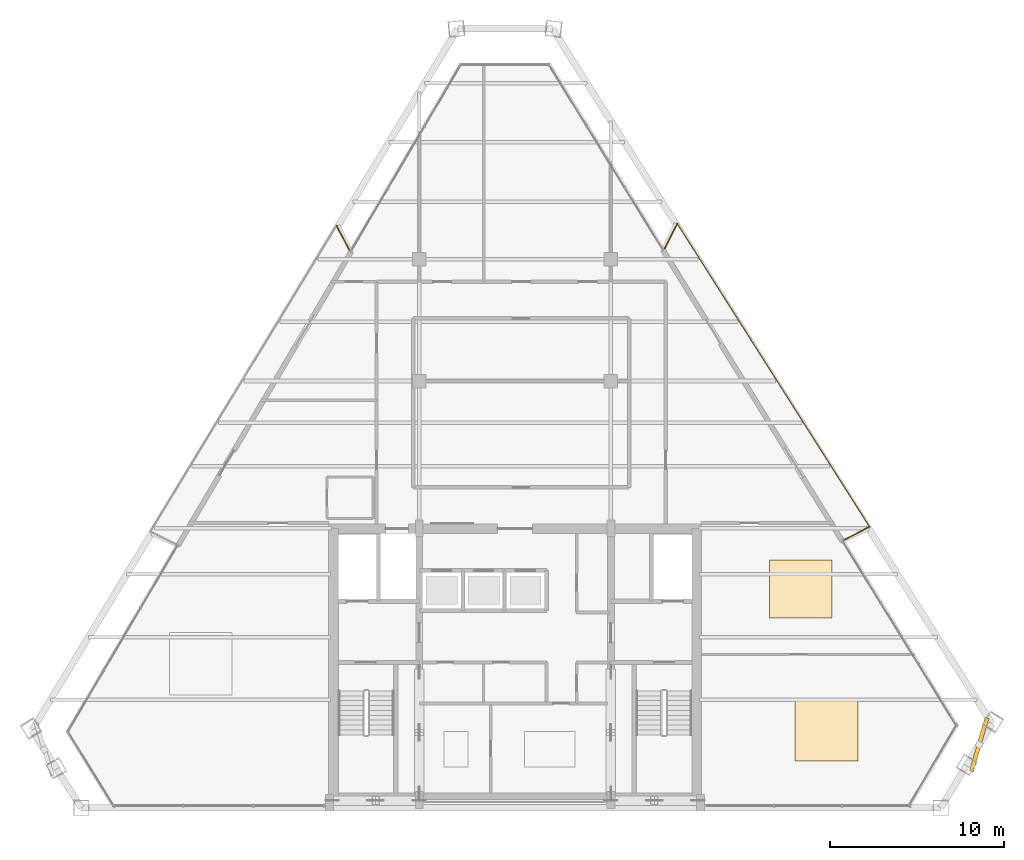
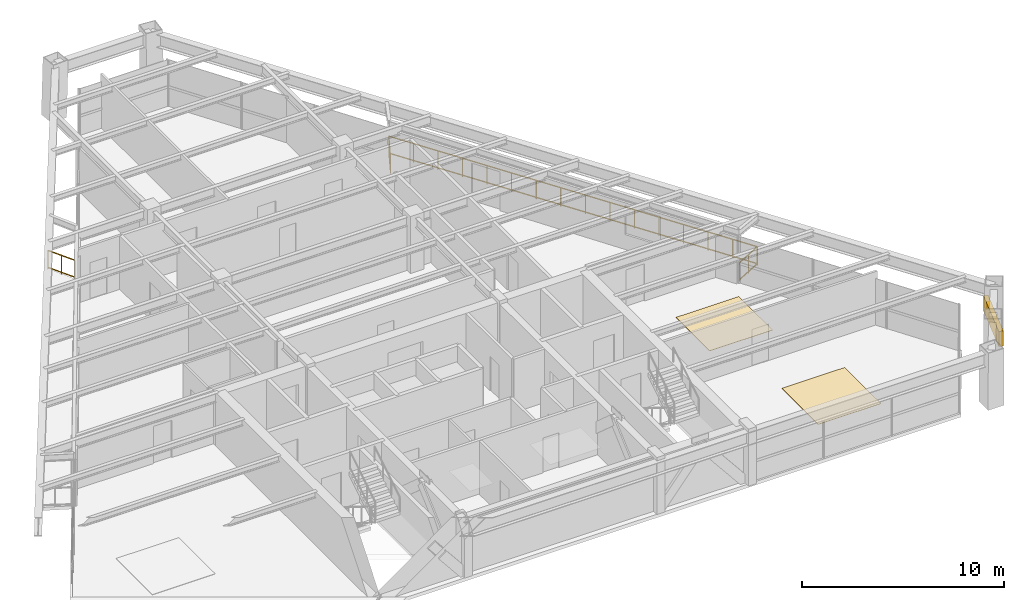
# One storey, part 13 of 14: 4 railings, 2 coverings, 1 shading device.
"""IFC4 building model written with IfcOpenShell, lengths in metres."""

import ifcopenshell
import ifcopenshell.guid

model = None  # the IFC model being written
_history = None  # IfcOwnerHistory: only IFC2X3 demands one
_inside = {}  # id of a spatial element -> (the spatial element, [elements in it])
_under = {}  # id of a project, library or spatial element -> (it, [spatial elements below it])
_declared = {}  # id of a project -> (the project, [libraries it declares])
_typed = {}  # id of a type object -> (the type object, [elements of that type])
_made_of = {}  # id of a material, layer set ... -> (it, [elements and type objects made of it])


def new_model(schema):
    """Start an empty IFC model of exactly this schema.

    Asked for "IFC4X3", IfcOpenShell would pick the latest addendum, in which some entities
    have other attributes; the version numbers below select the first issue.
    IFC2X3 requires an IfcOwnerHistory on every rooted entity: one is made here for all.
    """
    global model, _history
    if schema == "IFC4X3":
        model = ifcopenshell.file(schema_version=(4, 3, 0, 0))
    else:
        model = ifcopenshell.file(schema=schema)
    _inside.clear()
    _under.clear()
    _declared.clear()
    _typed.clear()
    _made_of.clear()
    _history = None
    if model.schema == "IFC2X3":
        org = make("IfcOrganization", Name="unknown")
        user = make(
            "IfcPersonAndOrganization",
            ThePerson=make("IfcPerson", FamilyName="unknown"),
            TheOrganization=org,
        )
        app = make(
            "IfcApplication",
            ApplicationDeveloper=org,
            Version="unknown",
            ApplicationFullName="unknown",
            ApplicationIdentifier="unknown",
        )
        _history = make(
            "IfcOwnerHistory",
            OwningUser=user,
            OwningApplication=app,
            ChangeAction="ADDED",
            CreationDate=0,
        )
    return model


def make(cls, **values):
    """One entity of the class cls with the attributes given. An attribute that is None is left unset."""
    return model.create_entity(
        cls, **{name: value for name, value in values.items() if value is not None}
    )


def rooted(cls, **values):
    """An entity with a GlobalId (a new one), such as an element, a storey or a relation."""
    return make(cls, GlobalId=ifcopenshell.guid.new(), OwnerHistory=_history, **values)


def si_unit(unit_type, name, prefix=None):
    """IfcSIUnit, for example si_unit("LENGTHUNIT", "METRE", prefix="MILLI")."""
    return make("IfcSIUnit", UnitType=unit_type, Prefix=prefix, Name=name)


def assignment(units):
    """IfcUnitAssignment: the units of a project."""
    return None if units is None else make("IfcUnitAssignment", Units=units)


def point(xyz):
    """IfcCartesianPoint."""
    return None if xyz is None else make("IfcCartesianPoint", Coordinates=xyz)


def direction(xyz):
    """IfcDirection."""
    return None if xyz is None else make("IfcDirection", DirectionRatios=xyz)


def frame(location, z_axis=None, x_axis=None):
    """IfcAxis2Placement3D, a coordinate frame: its origin and axes. An axis left out is left unset."""
    return make(
        "IfcAxis2Placement3D",
        Location=point(location),
        Axis=direction(z_axis),
        RefDirection=direction(x_axis),
    )


def frame_2d(location, x_axis=None):
    """IfcAxis2Placement2D, a coordinate frame in the plane: its origin and x axis."""
    return make(
        "IfcAxis2Placement2D", Location=point(location), RefDirection=direction(x_axis)
    )


def origin():
    """The frame at (0, 0, 0) with its axes left unset."""
    return frame((0.0, 0.0, 0.0))


def origin_2d():
    """The frame at (0, 0) in the plane with its x axis left unset."""
    return frame_2d((0.0, 0.0))


def place(relative_to, where):
    """IfcLocalPlacement: puts the frame where relative to a parent placement (None: the world)."""
    return make(
        "IfcLocalPlacement", PlacementRelTo=relative_to, RelativePlacement=where
    )


def context(
    kind, dimensions, precision=None, world=None, true_north=None, identifier=None
):
    """IfcGeometricRepresentationContext, for example the 3D "Model" context."""
    return make(
        "IfcGeometricRepresentationContext",
        ContextIdentifier=identifier,
        ContextType=kind,
        CoordinateSpaceDimension=dimensions,
        Precision=precision,
        WorldCoordinateSystem=world,
        TrueNorth=true_north,
    )


def subcontext(parent, identifier, kind, view, scale=None):
    """IfcGeometricRepresentationSubContext, for example "Body" below "Model"."""
    return make(
        "IfcGeometricRepresentationSubContext",
        ContextIdentifier=identifier,
        ContextType=kind,
        ParentContext=parent,
        TargetScale=scale,
        TargetView=view,
    )


def project(units=None, contexts=None):
    """IfcProject with its units and contexts."""
    return rooted(
        "IfcProject",
        Name="project",
        RepresentationContexts=contexts,
        UnitsInContext=assignment(units),
    )


def spatial(cls, under=None, at=None, **own):
    """A site, building, storey or space (cls), placed at a placement, below another one or the project."""
    s = rooted(cls, ObjectPlacement=at, **own)
    if under is not None:
        _under.setdefault(under.id(), (under, []))[1].append(s)
    return s


def profile(cls, at=None, kind="AREA", **sizes):
    """A parametric profile (cls). Its sizes go by their IFC names, for example OverallWidth=200.0."""
    return make(cls, ProfileType=kind, Position=at, **sizes)


def rectangle(**sizes):
    """IfcRectangleProfileDef."""
    return profile("IfcRectangleProfileDef", **sizes)


def extrude(swept, where, along, depth):
    """IfcExtrudedAreaSolid: the profile swept, set in the frame where, extruded along a direction by depth."""
    return make(
        "IfcExtrudedAreaSolid",
        SweptArea=swept,
        Position=where,
        ExtrudedDirection=direction(along),
        Depth=depth,
    )


def shape(context_of_items, identifier, shape_type, items):
    """IfcShapeRepresentation: the items that make up one representation, for example the "Body"."""
    return make(
        "IfcShapeRepresentation",
        ContextOfItems=context_of_items,
        RepresentationIdentifier=identifier,
        RepresentationType=shape_type,
        Items=items,
    )


def source(mapping_origin, context_of_items, identifier, shape_type, items):
    """IfcRepresentationMap: a shape defined once, which mapped items show again and again."""
    return make(
        "IfcRepresentationMap",
        MappingOrigin=mapping_origin,
        MappedRepresentation=shape(context_of_items, identifier, shape_type, items),
    )


def transform(
    local_origin,
    x_axis=None,
    y_axis=None,
    z_axis=None,
    scale=None,
    scale2=None,
    scale3=None,
    uniform=True,
):
    """IfcCartesianTransformationOperator3D, or its non-uniform kind. x_axis, y_axis, z_axis: its Axis1, 2, 3."""
    if uniform:
        return make(
            "IfcCartesianTransformationOperator3D",
            Axis1=direction(x_axis),
            Axis2=direction(y_axis),
            LocalOrigin=point(local_origin),
            Scale=scale,
            Axis3=direction(z_axis),
        )
    return make(
        "IfcCartesianTransformationOperator3DnonUniform",
        Axis1=direction(x_axis),
        Axis2=direction(y_axis),
        LocalOrigin=point(local_origin),
        Scale=scale,
        Axis3=direction(z_axis),
        Scale2=scale2,
        Scale3=scale3,
    )


def mapped(mapping_source, mapping_target):
    """IfcMappedItem: shows the shape of a source again, moved by a transform."""
    return make(
        "IfcMappedItem", MappingSource=mapping_source, MappingTarget=mapping_target
    )


def material(Name=None, Category=None):
    """IfcMaterial."""
    return make("IfcMaterial", Name=Name, Category=Category)


def layer(
    of_material, thickness, ventilated=None, Name=None, Category=None, Priority=None
):
    """IfcMaterialLayer: one layer of a wall or slab, of a material (None: an air gap)."""
    return make(
        "IfcMaterialLayer",
        Material=of_material,
        LayerThickness=thickness,
        IsVentilated=ventilated,
        Name=Name,
        Category=Category,
        Priority=Priority,
    )


def layer_set(layers, Name=None):
    """IfcMaterialLayerSet."""
    return make("IfcMaterialLayerSet", MaterialLayers=layers, LayerSetName=Name)


def made_of(thing, what):
    """Note that an element or type object is made of a material, layer set ...; save() writes the relation."""
    if what is not None:
        _made_of.setdefault(what.id(), (what, []))[1].append(thing)
    return thing


def type_object(cls, material=None, **own):
    """A type object (cls), such as IfcWallType, which elements share."""
    return made_of(rooted(cls, **own), material)


def type_shapes(of_type, sources):
    """Give a type object the sources (RepresentationMaps) that its elements show as mapped items."""
    of_type.RepresentationMaps = sources


def element(
    cls,
    number,
    at=None,
    inside=None,
    cuts=None,
    type_object=None,
    material=None,
    context=None,
    identifier="Body",
    shape_type=None,
    held_by="IfcProductDefinitionShape",
    body=None,
    shapes=None,
    **own,
):
    """One element of the class cls, such as IfcWall. Its Tag is "e" and its number.

    at: its placement. inside: the storey or other place that contains it. cuts: it is an
    opening in that element (IfcRelVoidsElement). A single representation is given by context,
    identifier, shape_type and body (its items); several are given by shapes. held_by: the class
    of the entity that holds the representations. save() writes the other relations.
    """
    e = rooted(cls, Tag="e%d" % number, ObjectPlacement=at, **own)
    if body is not None:
        shapes = [shape(context, identifier, shape_type, body)]
    if shapes is not None:
        e.Representation = make(held_by, Representations=shapes)
    if inside is not None:
        _inside.setdefault(inside.id(), (inside, []))[1].append(e)
    if cuts is not None:
        rooted(
            "IfcRelVoidsElement", RelatingBuildingElement=cuts, RelatedOpeningElement=e
        )
    if type_object is not None:
        _typed.setdefault(type_object.id(), (type_object, []))[1].append(e)
    return made_of(e, material)


def aggregate(whole, parts):
    """IfcRelAggregates: a whole, such as a stair, and the parts it consists of."""
    return rooted("IfcRelAggregates", RelatingObject=whole, RelatedObjects=parts)


def save(model, path):
    """Write the relations noted so far, then the file.

    IfcRelAggregates (storeys below a building ...), IfcRelContainedInSpatialStructure (elements
    in a storey), IfcRelDefinesByType, IfcRelAssociatesMaterial and IfcRelDeclares: one each for
    every whole, place, type object, material and project.
    """
    for whole, parts in _under.values():
        aggregate(whole, parts)
    for where, things in _inside.values():
        rooted(
            "IfcRelContainedInSpatialStructure",
            RelatedElements=things,
            RelatingStructure=where,
        )
    for kind, things in _typed.values():
        rooted("IfcRelDefinesByType", RelatedObjects=things, RelatingType=kind)
    for what, things in _made_of.values():
        rooted("IfcRelAssociatesMaterial", RelatedObjects=things, RelatingMaterial=what)
    for by, libraries in _declared.values():
        rooted("IfcRelDeclares", RelatingContext=by, RelatedDefinitions=libraries)
    model.write(path)


model = new_model("IFC4")

# Units and contexts
model_context = context("Model", 3, precision=1e-05, world=origin(), true_north=direction((0.0, 1.0)))
body_context = subcontext(model_context, "Body", "Model", "MODEL_VIEW")
ifc_project = project(units=[si_unit("LENGTHUNIT", "METRE"), si_unit("AREAUNIT", "SQUARE_METRE"), si_unit("VOLUMEUNIT", "CUBIC_METRE"), si_unit("PLANEANGLEUNIT", "RADIAN"), si_unit("MASSUNIT", "GRAM", prefix="KILO")], contexts=[model_context])

# Site, building, storey
site_placement = place(None, origin())
site = spatial("IfcSite", under=ifc_project, at=site_placement, CompositionType="ELEMENT")
building_placement = place(site_placement, origin())
building = spatial("IfcBuilding", under=site, at=building_placement, Name="Varnakhor Terracotta Tower", CompositionType="ELEMENT")
storey_placement = place(building_placement, frame((0.0, 0.0, 240.699951171875)))
storey = spatial("IfcBuildingStorey", under=building, at=storey_placement, Name="L62", CompositionType="ELEMENT", Elevation=240.699951171875)

# Railings
ifc_material_1 = material(Name="Stainless Steel & Laminated Glass Guardrail", Category="steel")
railing_type = type_object("IfcRailingType", Name="RLG-LOGGIA-GUARD-1150", PredefinedType="GUARDRAIL", material=ifc_material_1)
railing_1_placement = place(storey_placement, frame((8.587158203125, 32.117919921875, 0.0)))
element("IfcRailing", 1, at=railing_1_placement, inside=storey, type_object=railing_type, Name="L62 E Loggia Glass Guard 1", PredefinedType="GUARDRAIL", context=body_context, shape_type="SweptSolid", body=[
    extrude(rectangle(XDim=0.048095703125, YDim=0.048095703125, at=origin_2d()), frame((0.0, 0.0, 1.1259765625), z_axis=(0.457622014939, 0.889146833455, 0.0), x_axis=(-0.889146833455, 0.457622014939, 0.0)), (0.0, 0.0, 1.0), 1.59033203125),
    extrude(rectangle(XDim=0.048095703125, YDim=0.048095703125, at=origin_2d()), frame((0.0, 0.0, 0.10009765625), z_axis=(0.457622014939, 0.889146833455, 0.0), x_axis=(-0.889146833455, 0.457622014939, 0.0)), (0.0, 0.0, 1.0), 1.59033203125),
    extrude(rectangle(XDim=0.0419921875, YDim=0.0419921875, at=origin_2d()), origin(), (0.0, 0.0, 1.0), 1.101806640625),
    extrude(rectangle(XDim=0.0419921875, YDim=0.0419921875, at=origin_2d()), frame((0.36376953125, 0.70703125, 0.0)), (0.0, 0.0, 1.0), 1.101806640625),
    extrude(rectangle(XDim=0.0419921875, YDim=0.0419921875, at=origin_2d()), frame((0.727783203125, 1.4140625, 0.0)), (0.0, 0.0, 1.0), 1.101806640625),
])
railing_2_placement = place(storey_placement, frame((9.31494140625, 33.531982421875, 0.0)))
element("IfcRailing", 2, at=railing_2_placement, inside=storey, type_object=railing_type, Name="L62 E Loggia Glass Guard 2", PredefinedType="GUARDRAIL", context=body_context, shape_type="SweptSolid", body=[
    extrude(rectangle(XDim=0.048095703125, YDim=0.048095703125, at=origin_2d()), frame((0.0, 0.0, 1.1259765625), z_axis=(0.535540582369, -0.844509493514, 0.0), x_axis=(0.844509493514, 0.535540582369, 0.0)), (0.0, 0.0, 1.0), 20.6015625),
    extrude(rectangle(XDim=0.048095703125, YDim=0.048095703125, at=origin_2d()), frame((0.0, 0.0, 0.10009765625), z_axis=(0.535540582369, -0.844509493514, 0.0), x_axis=(0.844509493514, 0.535540582369, 0.0)), (0.0, 0.0, 1.0), 20.6015625),
    extrude(rectangle(XDim=0.0419921875, YDim=0.0419921875, at=origin_2d()), origin(), (0.0, 0.0, 1.0), 1.101806640625),
    extrude(rectangle(XDim=0.0419921875, YDim=0.0419921875, at=origin_2d()), frame((0.735595703125, -1.159912109375, 0.0)), (0.0, 0.0, 1.0), 1.101806640625),
    extrude(rectangle(XDim=0.0419921875, YDim=0.0419921875, at=origin_2d()), frame((1.470947265625, -2.31982421875, 0.0)), (0.0, 0.0, 1.0), 1.101806640625),
    extrude(rectangle(XDim=0.0419921875, YDim=0.0419921875, at=origin_2d()), frame((2.20654296875, -3.479736328125, 0.0)), (0.0, 0.0, 1.0), 1.101806640625),
    extrude(rectangle(XDim=0.0419921875, YDim=0.0419921875, at=origin_2d()), frame((2.942138671875, -4.639404296875, 0.0)), (0.0, 0.0, 1.0), 1.101806640625),
    extrude(rectangle(XDim=0.0419921875, YDim=0.0419921875, at=origin_2d()), frame((3.677734375, -5.79931640625, 0.0)), (0.0, 0.0, 1.0), 1.101806640625),
    extrude(rectangle(XDim=0.0419921875, YDim=0.0419921875, at=origin_2d()), frame((4.4130859375, -6.959228515625, 0.0)), (0.0, 0.0, 1.0), 1.101806640625),
    extrude(rectangle(XDim=0.0419921875, YDim=0.0419921875, at=origin_2d()), frame((5.148681640625, -8.119140625, 0.0)), (0.0, 0.0, 1.0), 1.101806640625),
    extrude(rectangle(XDim=0.0419921875, YDim=0.0419921875, at=origin_2d()), frame((5.88427734375, -9.279052734375, 0.0)), (0.0, 0.0, 1.0), 1.101806640625),
    extrude(rectangle(XDim=0.0419921875, YDim=0.0419921875, at=origin_2d()), frame((6.619873046875, -10.43896484375, 0.0)), (0.0, 0.0, 1.0), 1.101806640625),
    extrude(rectangle(XDim=0.0419921875, YDim=0.0419921875, at=origin_2d()), frame((7.355224609375, -11.598876953125, 0.0)), (0.0, 0.0, 1.0), 1.101806640625),
    extrude(rectangle(XDim=0.0419921875, YDim=0.0419921875, at=origin_2d()), frame((8.0908203125, -12.7587890625, 0.0)), (0.0, 0.0, 1.0), 1.101806640625),
    extrude(rectangle(XDim=0.0419921875, YDim=0.0419921875, at=origin_2d()), frame((8.826416015625, -13.91845703125, 0.0)), (0.0, 0.0, 1.0), 1.101806640625),
    extrude(rectangle(XDim=0.0419921875, YDim=0.0419921875, at=origin_2d()), frame((9.56201171875, -15.078369140625, 0.0)), (0.0, 0.0, 1.0), 1.101806640625),
    extrude(rectangle(XDim=0.0419921875, YDim=0.0419921875, at=origin_2d()), frame((10.29736328125, -16.23828125, 0.0)), (0.0, 0.0, 1.0), 1.101806640625),
    extrude(rectangle(XDim=0.0419921875, YDim=0.0419921875, at=origin_2d()), frame((11.032958984375, -17.398193359375, 0.0)), (0.0, 0.0, 1.0), 1.101806640625),
])
railing_3_placement = place(storey_placement, frame((20.347900390625, 16.1337890625, 0.0)))
element("IfcRailing", 3, at=railing_3_placement, inside=storey, type_object=railing_type, Name="L62 E Loggia Glass Guard 3", PredefinedType="GUARDRAIL", context=body_context, shape_type="SweptSolid", body=[
    extrude(rectangle(XDim=0.048095703125, YDim=0.048095703125, at=origin_2d()), frame((0.0, 0.0, 1.1259765625), z_axis=(-0.887486644262, -0.460833436565, 0.0), x_axis=(0.460833436565, -0.887486644262, 0.0)), (0.0, 0.0, 1.0), 1.628662109375),
    extrude(rectangle(XDim=0.048095703125, YDim=0.048095703125, at=origin_2d()), frame((0.0, 0.0, 0.10009765625), z_axis=(-0.887486644262, -0.460833436565, 0.0), x_axis=(0.460833436565, -0.887486644262, 0.0)), (0.0, 0.0, 1.0), 1.628662109375),
    extrude(rectangle(XDim=0.0419921875, YDim=0.0419921875, at=origin_2d()), origin(), (0.0, 0.0, 1.0), 1.101806640625),
    extrude(rectangle(XDim=0.0419921875, YDim=0.0419921875, at=origin_2d()), frame((-0.72265625, -0.375244140625, 0.0)), (0.0, 0.0, 1.0), 1.101806640625),
    extrude(rectangle(XDim=0.0419921875, YDim=0.0419921875, at=origin_2d()), frame((-1.4453125, -0.75048828125, 0.0)), (0.0, 0.0, 1.0), 1.101806640625),
])
railing_4_placement = place(storey_placement, frame((-10.24755859375, 33.42724609375, 0.0)))
element("IfcRailing", 4, at=railing_4_placement, inside=storey, type_object=railing_type, Name="L62 W Loggia Glass Guard 3", PredefinedType="GUARDRAIL", context=body_context, shape_type="SweptSolid", body=[
    extrude(rectangle(XDim=0.048095703125, YDim=0.048095703125, at=origin_2d()), frame((0.0, 0.0, 1.1259765625), z_axis=(0.460819930244, -0.88749365738, 0.0), x_axis=(0.88749365738, 0.460819930244, 0.0)), (0.0, 0.0, 1.0), 1.587158203125),
    extrude(rectangle(XDim=0.048095703125, YDim=0.048095703125, at=origin_2d()), frame((0.0, 0.0, 0.10009765625), z_axis=(0.460819930244, -0.88749365738, 0.0), x_axis=(0.88749365738, 0.460819930244, 0.0)), (0.0, 0.0, 1.0), 1.587158203125),
    extrude(rectangle(XDim=0.0419921875, YDim=0.0419921875, at=origin_2d()), origin(), (0.0, 0.0, 1.0), 1.101806640625),
    extrude(rectangle(XDim=0.0419921875, YDim=0.0419921875, at=origin_2d()), frame((0.36572265625, -0.704345703125, 0.0)), (0.0, 0.0, 1.0), 1.101806640625),
    extrude(rectangle(XDim=0.0419921875, YDim=0.0419921875, at=origin_2d()), frame((0.7314453125, -1.40869140625, 0.0)), (0.0, 0.0, 1.0), 1.101806640625),
])

# Shading device
ifc_material_2 = material(Name="Extruded Architectural Terracotta Screen", Category="masonry")
shading_device_type = type_object("IfcShadingDeviceType", Name="TERRACOTTA SOLAR SCREEN E", PredefinedType="USERDEFINED", material=ifc_material_2)
shared_shape_1 = source(origin(), body_context, "Body", "SweptSolid", [
    extrude(rectangle(XDim=3.199951171875, YDim=0.239990234375, at=origin_2d()), origin(), (0.0, 0.0, 1.0), 0.919921875),
])
type_shapes(shading_device_type, [shared_shape_1])
shading_device_placement = place(storey_placement, frame((26.64013671875, 3.628173828125, 1.56201171875), z_axis=(0.0, 0.0, 1.0), x_axis=(0.279896037473, 0.960030316296, 0.0)))
element("IfcShadingDevice", 5, at=shading_device_placement, inside=storey, type_object=shading_device_type, Name="L62 E Terracotta Solar Screen", ObjectType="SCREEN", PredefinedType="USERDEFINED", context=body_context, shape_type="MappedRepresentation", body=[
    mapped(shared_shape_1, transform((0.0, 0.0, 0.0), scale=1.0)),
])

# Coverings
ifc_material_3 = material(Name="Honed Riyadh Limestone Flooring", Category="masonry")
ifc_layer = layer(ifc_material_3, 0.030029296875, Name="Honed Riyadh Limestone Flooring")
ifc_layer_set = layer_set([ifc_layer], Name="Honed Riyadh Limestone Flooring")
covering_type = type_object("IfcCoveringType", Name="COV-FLOOR-LIMESTONE", PredefinedType="FLOORING", material=ifc_layer_set)
shared_shape_2 = source(origin(), body_context, "Body", "SweptSolid", [
    extrude(rectangle(XDim=3.60009765625, YDim=3.60009765625, at=origin_2d()), origin(), (0.0, 0.0, 1.0), 0.02001953125),
])
covering_1_placement = place(storey_placement, frame((17.8759765625, 4.50390625, 0.0), z_axis=(0.0, 0.0, 1.0), x_axis=(1.0, 0.0, 0.0)))
element("IfcCovering", 6, at=covering_1_placement, inside=storey, type_object=covering_type, Name="L62 Honed Stone Flooring 3", PredefinedType="FLOORING", context=body_context, shape_type="MappedRepresentation", body=[
    mapped(shared_shape_2, transform((0.0, 0.0, 0.0), scale=1.0)),
])
shared_shape_3 = source(origin(), body_context, "Body", "SweptSolid", [
    extrude(rectangle(XDim=3.60009765625, YDim=3.343994140625, at=origin_2d()), origin(), (0.0, 0.0, 1.0), 0.02001953125),
])
covering_2_placement = place(storey_placement, frame((16.39697265625, 12.56103515625, 0.0), z_axis=(0.0, 0.0, 1.0), x_axis=(1.0, 0.0, 0.0)))
element("IfcCovering", 7, at=covering_2_placement, inside=storey, type_object=covering_type, Name="L62 Honed Stone Flooring 5", PredefinedType="FLOORING", context=body_context, shape_type="MappedRepresentation", body=[
    mapped(shared_shape_3, transform((0.0, 0.0, 0.0), scale=1.0)),
])

save(model, "model.ifc")
